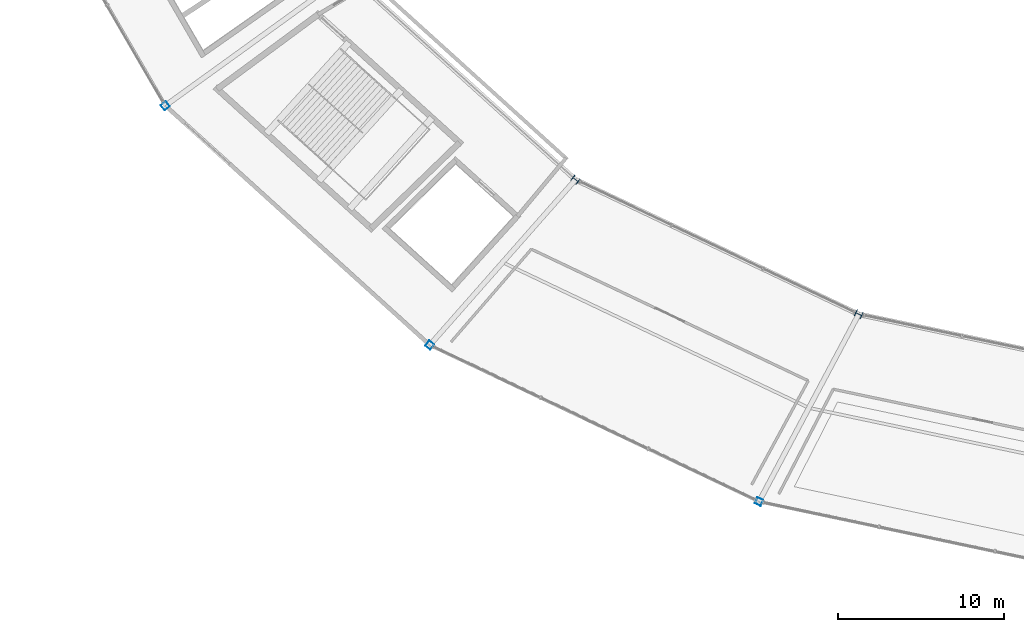
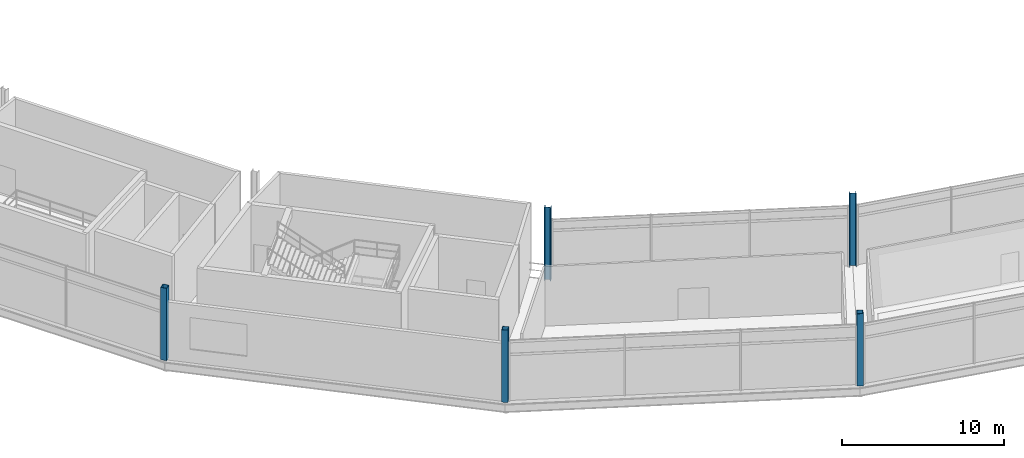
# One storey, part 1 of 86: 5 columns.
"""IFC4 building model written with IfcOpenShell, lengths in metres."""

from ifc_helpers import new_model, si_unit, direction, frame, origin, origin_2d, place, context, subcontext, project, spatial, hollow_rectangle, i_section, extrude, material, material_profile, profile_set, type_object, element, save


model = new_model("IFC4")

# Units and contexts
model_context = context("Model", 3, precision=1e-05, world=origin(), true_north=direction((0.0, 1.0)))
body_context = subcontext(model_context, "Body", "Model", "MODEL_VIEW")
ifc_project = project(units=[si_unit("LENGTHUNIT", "METRE"), si_unit("AREAUNIT", "SQUARE_METRE"), si_unit("VOLUMEUNIT", "CUBIC_METRE"), si_unit("PLANEANGLEUNIT", "RADIAN"), si_unit("MASSUNIT", "GRAM", prefix="KILO")], contexts=[model_context])

# Site, building, storey
site_placement = place(None, origin())
site = spatial("IfcSite", under=ifc_project, at=site_placement, CompositionType="ELEMENT")
building_placement = place(site_placement, origin())
building = spatial("IfcBuilding", under=site, at=building_placement, Name="Kazemori Nagisa Stadium", CompositionType="ELEMENT")
storey_placement = place(building_placement, frame((0.0, 0.0, 31.280029296875)))
storey = spatial("IfcBuildingStorey", under=building, at=storey_placement, Name="L06", CompositionType="ELEMENT", Elevation=31.280029296875)

# Columns
ifc_material_1 = material(Name="Steel SN490B", Category="steel")
ifc_material_profile_1 = material_profile(ifc_material_1, i_section(OverallWidth=0.406982421875, OverallDepth=0.427978515625, WebThickness=0.02001953125, FlangeThickness=0.034912109375, FilletRadius=0.012939453125, at=origin_2d()), Name="H-428x407x20x35")
ifc_profile_set_1 = profile_set([ifc_material_profile_1], Name="Steel SN490B")
column_type_1 = type_object("IfcColumnType", Name="Column_C-H428", PredefinedType="COLUMN", material=ifc_profile_set_1)
for number, where, z_axis, x_axis, name in (
    (1, (69.165771484375, 40.88916015625, 0.0), (0.0, 0.0, 1.0), (-0.623489801853, -0.781831482473, 0.0), "Column C-H428 L06 R2-19"),
    (2, (86.18798828125, 32.80078125, 0.0), (0.0, 0.0, 1.0), (-0.433883739113, -0.900968867905, 0.0), "Column C-H428 L06 R2-20"),
):
    element("IfcColumn", number, at=place(storey_placement, frame(where, z_axis=z_axis, x_axis=x_axis)), inside=storey, type_object=column_type_1, Name=name, PredefinedType="COLUMN", context=body_context, shape_type="SweptSolid", body=[
        extrude(i_section(OverallWidth=0.406982421875, OverallDepth=0.427978515625, WebThickness=0.02001953125, FlangeThickness=0.034912109375, FilletRadius=0.012939453125, at=origin_2d()), origin(), (0.0, 0.0, 1.0), 5.43994140625),
    ])
ifc_material_2 = material(Name="Steel STKR490", Category="steel")
ifc_material_profile_2 = material_profile(ifc_material_2, hollow_rectangle(XDim=0.39990234375, YDim=0.39990234375, WallThickness=0.01904296875, at=origin_2d()), Name="SHS-400x400x19")
ifc_profile_set_2 = profile_set([ifc_material_profile_2], Name="Steel STKR490")
column_type_2 = type_object("IfcColumnType", Name="Column_C-ST400", PredefinedType="COLUMN", material=ifc_profile_set_2)
for number, where, z_axis, x_axis, name in (
    (3, (44.504638671875, 45.332275390625, 0.0), (0.0, 0.0, 1.0), (-0.781831482473, -0.623489801853, 0.0), "Column C-ST400 L06 R3-18"),
    (4, (60.402099609375, 30.94091796875, 0.0), (0.0, 0.0, 1.0), (-0.623489801853, -0.781831482473, 0.0), "Column C-ST400 L06 R3-19"),
    (5, (80.1953125, 21.53564453125, 0.0), (0.0, 0.0, 1.0), (-0.433883739113, -0.900968867905, 0.0), "Column C-ST400 L06 R3-20"),
):
    element("IfcColumn", number, at=place(storey_placement, frame(where, z_axis=z_axis, x_axis=x_axis)), inside=storey, type_object=column_type_2, Name=name, PredefinedType="COLUMN", context=body_context, shape_type="SweptSolid", body=[
        extrude(hollow_rectangle(XDim=0.39990234375, YDim=0.39990234375, WallThickness=0.01904296875, at=origin_2d()), origin(), (0.0, 0.0, 1.0), 5.43994140625),
    ])

save(model, "model.ifc")
